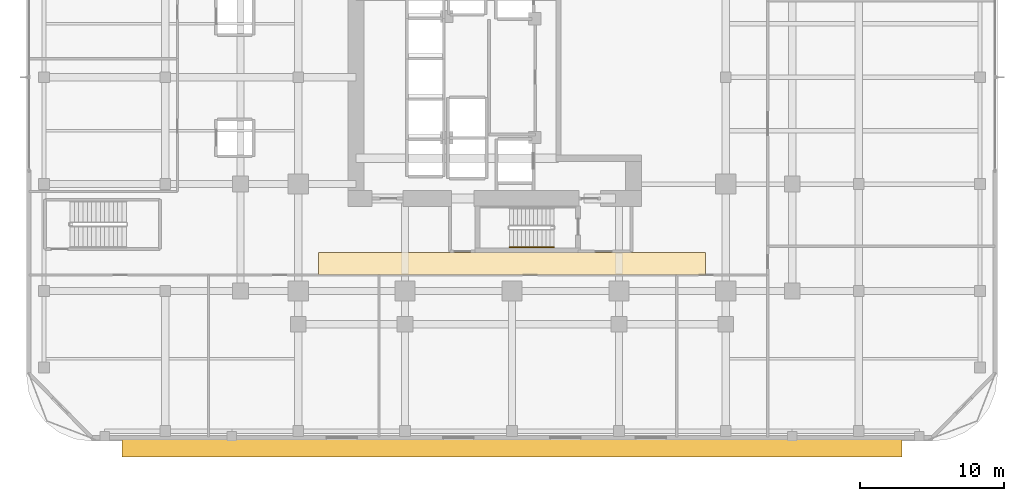
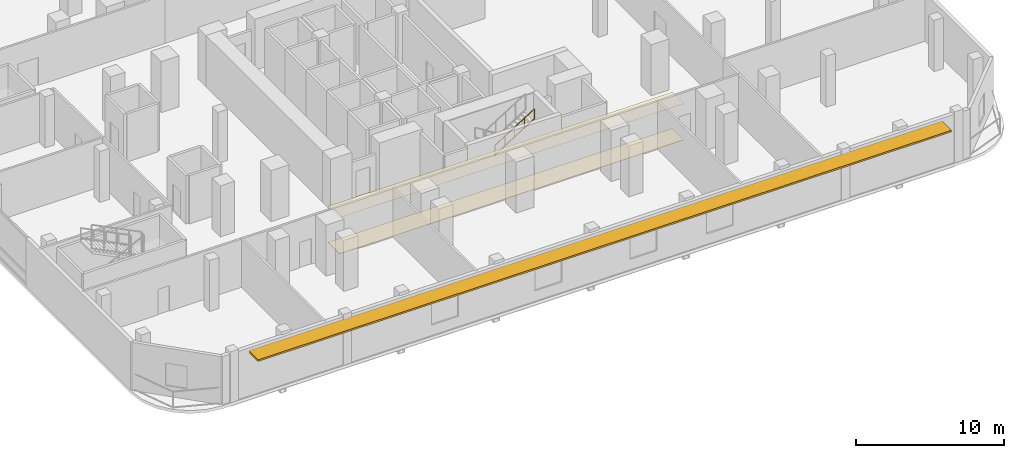
# One storey, part 14 of 19: 2 coverings, 1 railing, 1 shading device.
"""IFC4 building model written with IfcOpenShell, lengths in metres."""

from ifc_helpers import new_model, si_unit, direction, frame, origin, origin_2d, place, context, subcontext, project, spatial, polyline, rectangle, outline, extrude, material, layer, layer_set, type_object, element, save


model = new_model("IFC4")

# Units and contexts
model_context = context("Model", 3, precision=1e-05, world=origin(), true_north=direction((0.0, 1.0)))
body_context = subcontext(model_context, "Body", "Model", "MODEL_VIEW")
ifc_project = project(units=[si_unit("LENGTHUNIT", "METRE"), si_unit("AREAUNIT", "SQUARE_METRE"), si_unit("VOLUMEUNIT", "CUBIC_METRE"), si_unit("PLANEANGLEUNIT", "RADIAN"), si_unit("MASSUNIT", "GRAM", prefix="KILO")], contexts=[model_context])

# Site, building, storey
site_placement = place(None, origin())
site = spatial("IfcSite", under=ifc_project, at=site_placement, CompositionType="ELEMENT")
building_placement = place(site_placement, origin())
building = spatial("IfcBuilding", under=site, at=building_placement, Name="Khorvyn Point Tower", CompositionType="ELEMENT")
storey_placement = place(building_placement, frame((0.0, 0.0, 13.199951171875)))
storey = spatial("IfcBuildingStorey", under=building, at=storey_placement, Name="L04", CompositionType="ELEMENT", Elevation=13.199951171875)

# Shading device
ifc_material_1 = material(Name="Bronze anodised aluminium 6063-T6", Category="aluminium")
ifc_layer_1 = layer(ifc_material_1, 0.139892578125)
ifc_layer_set_1 = layer_set([ifc_layer_1], Name="Anodised Aluminium Horizontal Monsoon Sunshade Canopy")
shading_device_type = type_object("IfcShadingDeviceType", Name="Anodised Aluminium Horizontal Monsoon Sunshade Canopy", PredefinedType="AWNING", material=ifc_layer_set_1)
shading_device_placement = place(storey_placement, frame((0.0, 0.0, 3.5400390625)))
element("IfcShadingDevice", 1, at=shading_device_placement, inside=storey, type_object=shading_device_type, Name="L04 South Classroom Monsoon Sunshade", PredefinedType="AWNING", context=body_context, shape_type="SweptSolid", body=[
    extrude(outline(polyline([(-27.0, -26.280029296875), (27.0, -26.280029296875), (27.0, -25.030029296875), (-27.0, -25.030029296875), (-27.0, -26.280029296875)])), origin(), (0.0, 0.0, 1.0), 0.139892578125),
])

# Coverings
ifc_material_2 = material(Name="Mineral-fibre acoustic ceiling board", Category="gypsum")
ifc_layer_2 = layer(ifc_material_2, 0.02001953125)
ifc_layer_set_2 = layer_set([ifc_layer_2], Name="Perforated Mineral-Fibre Acoustic Suspended Ceiling 20")
covering_type_1 = type_object("IfcCoveringType", Name="Perforated Mineral-Fibre Acoustic Suspended Ceiling 20", PredefinedType="CEILING", material=ifc_layer_set_2)
covering_1_placement = place(storey_placement, frame((0.0, 0.0, 2.97998046875)))
element("IfcCovering", 2, at=covering_1_placement, inside=storey, type_object=covering_type_1, Name="L04 South Corridor Acoustic Ceiling", PredefinedType="CEILING", context=body_context, shape_type="SweptSolid", body=[
    extrude(outline(polyline([(-13.39990234375, -13.7099609375), (13.39990234375, -13.7099609375), (13.39990234375, -12.139892578125), (-13.39990234375, -12.139892578125), (-13.39990234375, -13.7099609375)])), origin(), (0.0, 0.0, 1.0), 0.02001953125),
])
ifc_material_3 = material(Name="Vitrified porcelain terrazzo tile", Category="ceramic")
ifc_layer_3 = layer(ifc_material_3, 0.01806640625)
ifc_layer_set_3 = layer_set([ifc_layer_3], Name="Porcelain Terrazzo Corridor Floor Finish Tile 18")
covering_type_2 = type_object("IfcCoveringType", Name="Porcelain Terrazzo Corridor Floor Finish Tile 18", PredefinedType="FLOORING", material=ifc_layer_set_3)
covering_2_placement = place(storey_placement, origin())
element("IfcCovering", 3, at=covering_2_placement, inside=storey, type_object=covering_type_2, Name="L04 South Corridor Terrazzo Flooring", PredefinedType="FLOORING", context=body_context, shape_type="SweptSolid", body=[
    extrude(outline(polyline([(-13.39990234375, -13.7099609375), (13.39990234375, -13.7099609375), (13.39990234375, -12.139892578125), (-13.39990234375, -12.139892578125), (-13.39990234375, -13.7099609375)])), origin(), (0.0, 0.0, 1.0), 0.01806640625),
])

# Railing
ifc_material_4 = material(Name="Stainless steel 1.4301", Category="steel")
railing_type = type_object("IfcRailingType", Name="Stainless Steel 304 Stair Pitch Handrail 900", PredefinedType="HANDRAIL", material=ifc_material_4)
railing_placement = place(storey_placement, frame((-0.179931640625, -11.77001953125, 2.275146484375)))
element("IfcRailing", 4, at=railing_placement, inside=storey, type_object=railing_type, Name="L04 ST-01 stair handrail 2", PredefinedType="HANDRAIL", context=body_context, shape_type="SweptSolid", body=[
    extrude(rectangle(XDim=0.048095703125, YDim=0.048095703125, at=origin_2d()), frame((0.0, 0.0, 0.8759765625), z_axis=(0.848009633417, 0.0, 0.529980812513), x_axis=(0.0, 1.0, 0.0)), (0.0, 0.0, 1.0), 3.6318359375),
    extrude(rectangle(XDim=0.048095703125, YDim=0.048095703125, at=origin_2d()), frame((0.0, 0.0, 0.080078125), z_axis=(0.848009633417, 0.0, 0.529980812513), x_axis=(0.0, 1.0, 0.0)), (0.0, 0.0, 1.0), 3.6318359375),
    extrude(rectangle(XDim=0.0419921875, YDim=0.0419921875, at=origin_2d()), origin(), (0.0, 0.0, 1.0), 0.851806640625),
    extrude(rectangle(XDim=0.0419921875, YDim=0.0419921875, at=origin_2d()), frame((0.77001953125, 0.0, 0.481201171875)), (0.0, 0.0, 1.0), 0.851806640625),
    extrude(rectangle(XDim=0.0419921875, YDim=0.0419921875, at=origin_2d()), frame((1.5400390625, 0.0, 0.96240234375)), (0.0, 0.0, 1.0), 0.851806640625),
    extrude(rectangle(XDim=0.0419921875, YDim=0.0419921875, at=origin_2d()), frame((2.309814453125, 0.0, 1.443603515625)), (0.0, 0.0, 1.0), 0.851806640625),
    extrude(rectangle(XDim=0.0419921875, YDim=0.0419921875, at=origin_2d()), frame((3.079833984375, 0.0, 1.9248046875)), (0.0, 0.0, 1.0), 0.851806640625),
])

save(model, "model.ifc")
